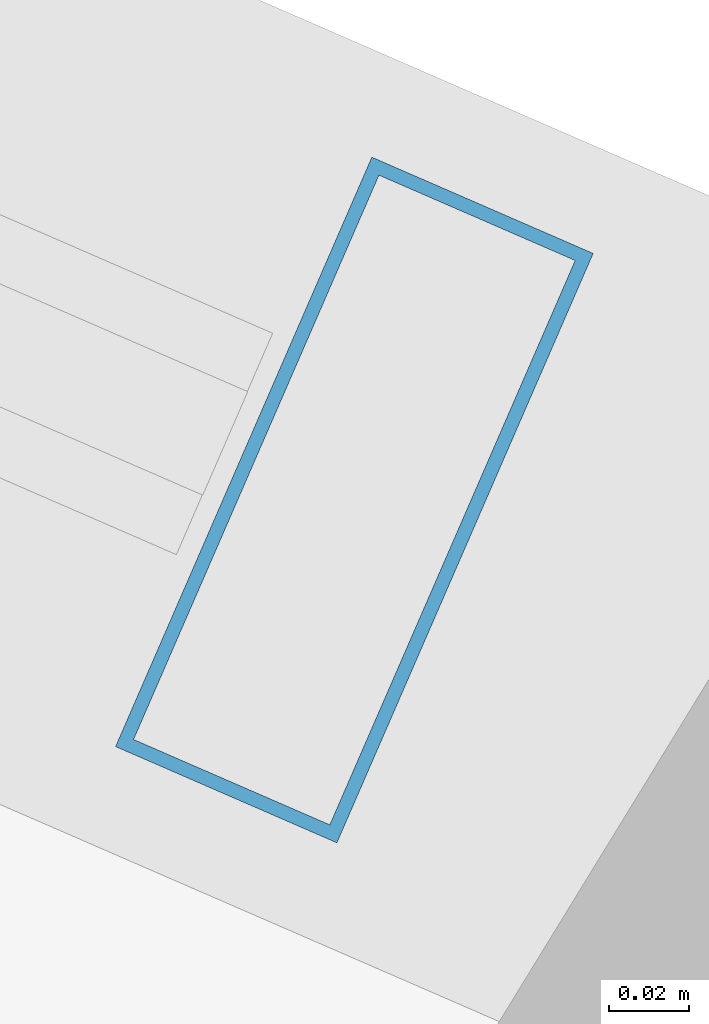
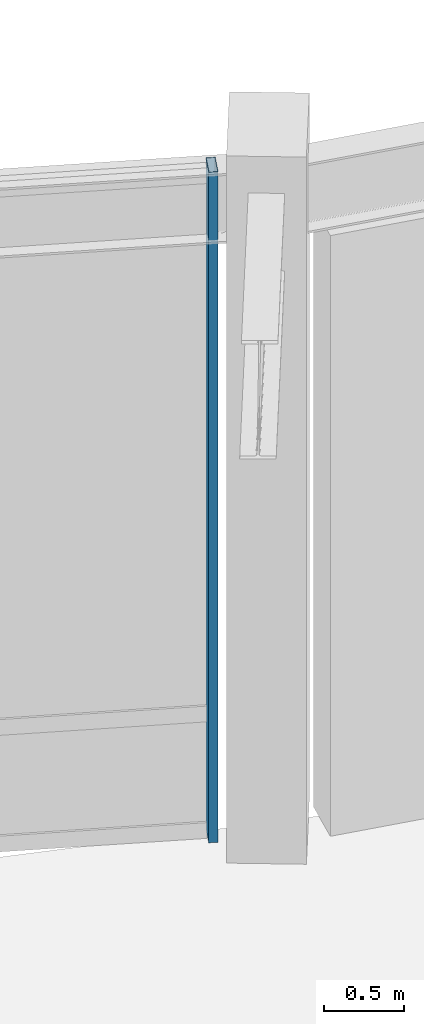
# One storey, part 58 of 157: 1 member, 1 element without a shape of its own.
"""IFC4 building model written with IfcOpenShell, lengths in metres."""

from ifc_helpers import new_model, si_unit, direction, frame, origin, origin_2d, place, context, subcontext, project, spatial, hollow_rectangle, extrude, material, material_profile, profile_set, type_object, element, aggregate, save


model = new_model("IFC4")

# Units and contexts
model_context = context("Model", 3, precision=1e-05, world=origin(), true_north=direction((0.0, 1.0)))
body_context = subcontext(model_context, "Body", "Model", "MODEL_VIEW")
ifc_project = project(units=[si_unit("LENGTHUNIT", "METRE"), si_unit("AREAUNIT", "SQUARE_METRE"), si_unit("VOLUMEUNIT", "CUBIC_METRE"), si_unit("PLANEANGLEUNIT", "RADIAN"), si_unit("MASSUNIT", "GRAM", prefix="KILO"), si_unit("THERMODYNAMICTEMPERATUREUNIT", "KELVIN"), si_unit("POWERUNIT", "WATT")], contexts=[model_context])

# Site, building, storey
site_placement = place(None, origin())
site = spatial("IfcSite", under=ifc_project, at=site_placement, CompositionType="ELEMENT")
building_placement = place(site_placement, origin())
building = spatial("IfcBuilding", under=site, at=building_placement, Name="Darbajah Civic Hall", CompositionType="ELEMENT")
storey_placement = place(building_placement, origin())
storey = spatial("IfcBuildingStorey", under=building, at=storey_placement, Name="L00", CompositionType="ELEMENT", Elevation=0.0)

# Curtain wall, member
ifc_material_1 = material(Name="Anodised Bronze Aluminium and Low-E Glazing", Category="aluminium")
curtain_wall_type = type_object("IfcCurtainWallType", Name="Unitised Curtain Wall CW-01 10700x5100", PredefinedType="USERDEFINED", material=ifc_material_1)
curtain_wall_placement = place(storey_placement, origin())
curtain_wall = element("IfcCurtainWall", 1, at=curtain_wall_placement, inside=storey, type_object=curtain_wall_type, Name="L00 unitised curtain wall CW-V1I-L00-12", ObjectType="UNITISED CURTAIN WALL", PredefinedType="USERDEFINED")
ifc_material_2 = material(Name="Anodised Bronze Aluminium", Category="aluminium")
ifc_material_profile = material_profile(ifc_material_2, hollow_rectangle(XDim=0.06005859375, YDim=0.159912109375, WallThickness=0.00341796875, at=origin_2d()), Name="ALU MULLION 60x160")
ifc_profile_set = profile_set([ifc_material_profile], Name="Anodised Bronze Aluminium")
member_type = type_object("IfcMemberType", Name="ALU MULLION 60x160", PredefinedType="MULLION", material=ifc_profile_set)
member_placement = place(storey_placement, frame((65.891845703125, 70.926513671875, 0.0), z_axis=(0.0, 0.0, 1.0), x_axis=(0.917060074385, -0.398749068925, 0.0)))
member = element("IfcMember", 2, at=member_placement, type_object=member_type, Name="CW-V1I-L00-12 mullion 4", PredefinedType="MULLION", context=body_context, shape_type="SweptSolid", body=[
    extrude(hollow_rectangle(XDim=0.06005859375, YDim=0.159912109375, WallThickness=0.00341796875, at=origin_2d()), origin(), (0.0, 0.0, 1.0), 5.1201171875),
])
aggregate(curtain_wall, [member])

save(model, "model.ifc")
